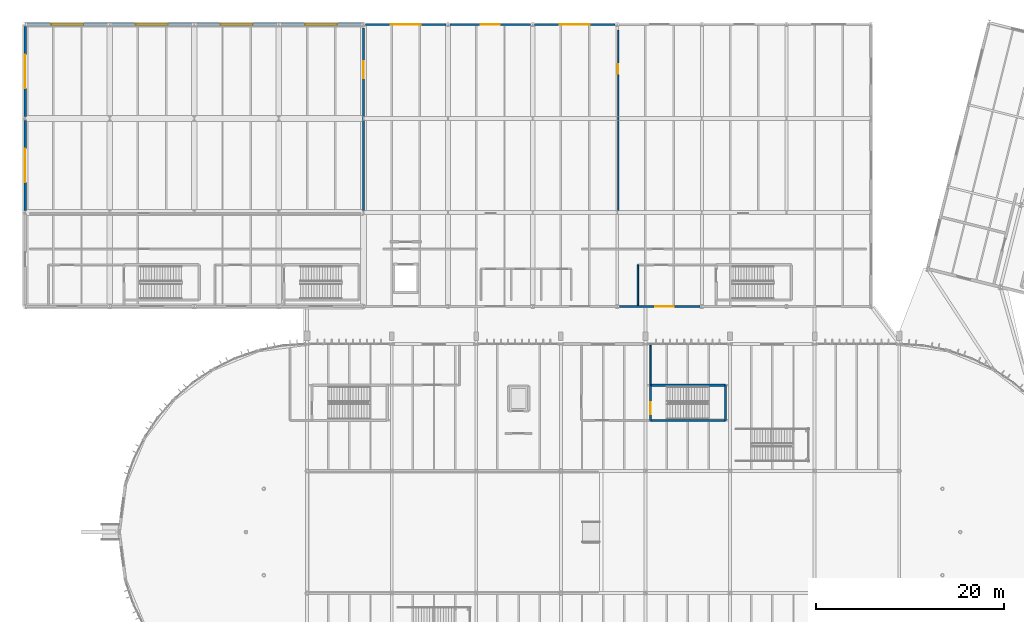
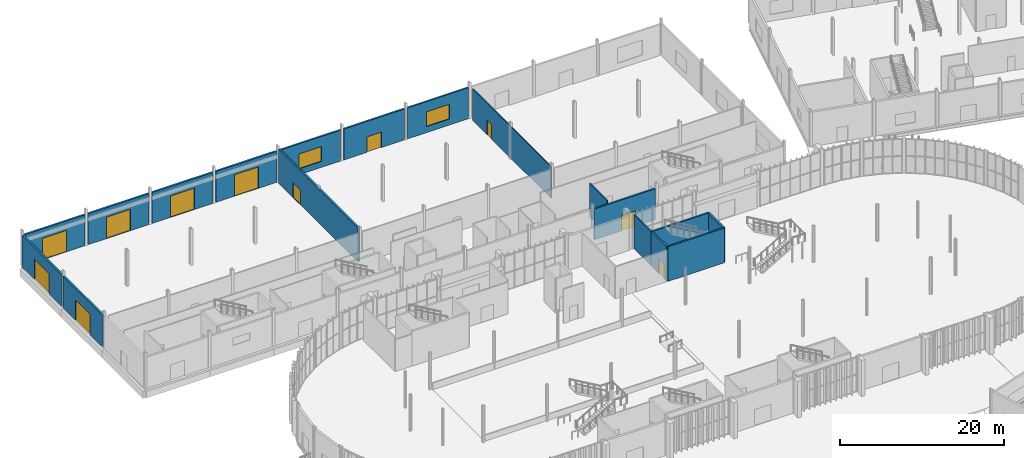
# One storey, part 125 of 158: 18 walls, 11 doors, 2 windows, 13 openings.
"""IFC4 building model written with IfcOpenShell, lengths in metres."""

from ifc_helpers import new_model, si_unit, derived_unit, direction, frame, frame_2d, origin, place, context, subcontext, project, spatial, rectangle, extrude, material, layer, layer_set, type_object, element, fill, save


model = new_model("IFC4")

# Units and contexts
model_context = context("Model", 3, precision=1e-05, world=origin(), true_north=direction((0.0, 1.0)))
body_context = subcontext(model_context, "Body", "Model", "MODEL_VIEW")
ifc_project = project(units=[si_unit("LENGTHUNIT", "METRE"), si_unit("AREAUNIT", "SQUARE_METRE"), si_unit("VOLUMEUNIT", "CUBIC_METRE"), si_unit("PLANEANGLEUNIT", "RADIAN"), si_unit("MASSUNIT", "GRAM", prefix="KILO"), si_unit("THERMODYNAMICTEMPERATUREUNIT", "KELVIN"), si_unit("TIMEUNIT", "SECOND"), derived_unit("THERMALTRANSMITTANCEUNIT", [(si_unit("MASSUNIT", "GRAM", prefix="KILO"), 1), (si_unit("THERMODYNAMICTEMPERATUREUNIT", "KELVIN"), -1), (si_unit("TIMEUNIT", "SECOND"), -3)])], contexts=[model_context])

# Site, building, storey
site_placement = place(None, origin())
site = spatial("IfcSite", under=ifc_project, at=site_placement, CompositionType="ELEMENT")
building_placement = place(site_placement, origin())
building = spatial("IfcBuilding", under=site, at=building_placement, Name="Cambertide Market Hall", CompositionType="ELEMENT")
storey_placement = place(building_placement, origin())
storey = spatial("IfcBuildingStorey", under=building, at=storey_placement, Name="L01", CompositionType="ELEMENT", Elevation=0.0)

# Wall, opening, door
ifc_material_1 = material(Name="Autoclaved Aerated Concrete Blockwork M7.5", Category="masonry")
ifc_layer_1 = layer(ifc_material_1, 0.260009765625, Name="Cold-Chain Insulated Facade Wall 260")
ifc_layer_set_1 = layer_set([ifc_layer_1], Name="Autoclaved Aerated Concrete Blockwork M7.5")
wall_type_1 = type_object("IfcWallType", Name="Cold-Chain Insulated Facade Wall 260", PredefinedType="SOLIDWALL", material=ifc_layer_set_1)
wall_1_placement = place(storey_placement, frame((12.219970703125, 126.0, 0.0), z_axis=(0.0, 0.0, 1.0), x_axis=(1.0, 0.0, 0.0)))
wall_1 = element("IfcWall", 1, at=wall_1_placement, inside=storey, type_object=wall_type_1, Name="Level 1 Exterior Wall EW-L01-V2N-1", PredefinedType="SOLIDWALL", context=body_context, shape_type="SweptSolid", body=[
    extrude(rectangle(XDim=8.56005859375, YDim=0.260009765625, at=frame_2d((4.280029296875, 0.0))), origin(), (0.0, 0.0, 1.0), 4.610107421875),
])
opening_1_placement = place(wall_1_placement, frame((2.580078125, 0.0, 0.0)))
opening_1 = element("IfcOpeningElement", 2, at=opening_1_placement, cuts=wall_1, Name="Opening LDK-01M", PredefinedType="OPENING", context=body_context, shape_type="SweptSolid", body=[
    extrude(rectangle(XDim=3.39990234375, YDim=3.199951171875, at=frame_2d((1.699951171875, 1.60009765625))), frame((0.0, 0.139892578125, 0.0), z_axis=(0.0, -1.0, 0.0), x_axis=(1.0, 0.0, 0.0)), (0.0, 0.0, 1.0), 0.280029296875),
])
ifc_material_2 = material(Name="Powder-Coated Galvanized Sheet Metal", Category="metal")
door_type_1 = type_object("IfcDoorType", Name="HGV Loading Dock Insulated Shutter 3400x3200", OperationType="ROLLINGUP", PredefinedType="GATE", material=ifc_material_2)
door_1_placement = place(opening_1_placement, origin())
door_1 = element("IfcDoor", 3, at=door_1_placement, inside=storey, type_object=door_type_1, Name="Level 1 Exterior Door EW-L01-V2N-1-DR", OperationType="ROLLINGUP", OverallHeight=3.199951171875, OverallWidth=3.39990234375, PredefinedType="GATE", context=body_context, shape_type="SweptSolid", body=[
    extrude(rectangle(XDim=3.39990234375, YDim=3.199951171875, at=frame_2d((1.699951171875, 1.60009765625))), frame((0.0, 0.02490234375, 0.0), z_axis=(0.0, -1.0, 0.0), x_axis=(1.0, 0.0, 0.0)), (0.0, 0.0, 1.0), 0.050048828125),
])
fill(opening_1, door_1)

wall_2_placement = place(storey_placement, frame((21.219970703125, 126.0, 0.0), z_axis=(0.0, 0.0, 1.0), x_axis=(1.0, 0.0, 0.0)))
wall_2 = element("IfcWall", 4, at=wall_2_placement, inside=storey, type_object=wall_type_1, Name="Level 1 Exterior Wall EW-L01-V2N-2", PredefinedType="SOLIDWALL", context=body_context, shape_type="SweptSolid", body=[
    extrude(rectangle(XDim=8.56005859375, YDim=0.260009765625, at=frame_2d((4.280029296875, 0.0))), origin(), (0.0, 0.0, 1.0), 4.610107421875),
])
opening_2_placement = place(wall_2_placement, frame((2.580078125, 0.0, 0.0)))
opening_2 = element("IfcOpeningElement", 5, at=opening_2_placement, cuts=wall_2, Name="Opening LDK-01M", PredefinedType="OPENING", context=body_context, shape_type="SweptSolid", body=[
    extrude(rectangle(XDim=3.39990234375, YDim=3.199951171875, at=frame_2d((1.699951171875, 1.60009765625))), frame((0.0, 0.139892578125, 0.0), z_axis=(0.0, -1.0, 0.0), x_axis=(1.0, 0.0, 0.0)), (0.0, 0.0, 1.0), 0.280029296875),
])
door_2_placement = place(opening_2_placement, origin())
door_2 = element("IfcDoor", 6, at=door_2_placement, inside=storey, type_object=door_type_1, Name="Level 1 Exterior Door EW-L01-V2N-2-DR", OperationType="ROLLINGUP", OverallHeight=3.199951171875, OverallWidth=3.39990234375, PredefinedType="GATE", context=body_context, shape_type="SweptSolid", body=[
    extrude(rectangle(XDim=3.39990234375, YDim=3.199951171875, at=frame_2d((1.699951171875, 1.60009765625))), frame((0.0, 0.02490234375, 0.0), z_axis=(0.0, -1.0, 0.0), x_axis=(1.0, 0.0, 0.0)), (0.0, 0.0, 1.0), 0.050048828125),
])
fill(opening_2, door_2)

wall_3_placement = place(storey_placement, frame((30.219970703125, 126.0, 0.0), z_axis=(0.0, 0.0, 1.0), x_axis=(1.0, 0.0, 0.0)))
wall_3 = element("IfcWall", 7, at=wall_3_placement, inside=storey, type_object=wall_type_1, Name="Level 1 Exterior Wall EW-L01-V2N-3", PredefinedType="SOLIDWALL", context=body_context, shape_type="SweptSolid", body=[
    extrude(rectangle(XDim=8.56005859375, YDim=0.260009765625, at=frame_2d((4.280029296875, 0.0))), origin(), (0.0, 0.0, 1.0), 4.610107421875),
])
opening_3_placement = place(wall_3_placement, frame((2.580078125, 0.0, 0.0)))
opening_3 = element("IfcOpeningElement", 8, at=opening_3_placement, cuts=wall_3, Name="Opening LDK-01M", PredefinedType="OPENING", context=body_context, shape_type="SweptSolid", body=[
    extrude(rectangle(XDim=3.39990234375, YDim=3.199951171875, at=frame_2d((1.699951171875, 1.60009765625))), frame((0.0, 0.139892578125, 0.0), z_axis=(0.0, -1.0, 0.0), x_axis=(1.0, 0.0, 0.0)), (0.0, 0.0, 1.0), 0.280029296875),
])
door_3_placement = place(opening_3_placement, origin())
door_3 = element("IfcDoor", 9, at=door_3_placement, inside=storey, type_object=door_type_1, Name="Level 1 Exterior Door EW-L01-V2N-3-DR", OperationType="ROLLINGUP", OverallHeight=3.199951171875, OverallWidth=3.39990234375, PredefinedType="GATE", context=body_context, shape_type="SweptSolid", body=[
    extrude(rectangle(XDim=3.39990234375, YDim=3.199951171875, at=frame_2d((1.699951171875, 1.60009765625))), frame((0.0, 0.02490234375, 0.0), z_axis=(0.0, -1.0, 0.0), x_axis=(1.0, 0.0, 0.0)), (0.0, 0.0, 1.0), 0.050048828125),
])
fill(opening_3, door_3)

wall_4_placement = place(storey_placement, frame((39.219970703125, 126.0, 0.0), z_axis=(0.0, 0.0, 1.0), x_axis=(1.0, 0.0, 0.0)))
wall_4 = element("IfcWall", 10, at=wall_4_placement, inside=storey, type_object=wall_type_1, Name="Level 1 Exterior Wall EW-L01-V2N-4", PredefinedType="SOLIDWALL", context=body_context, shape_type="SweptSolid", body=[
    extrude(rectangle(XDim=8.56005859375, YDim=0.260009765625, at=frame_2d((4.280029296875, 0.0))), origin(), (0.0, 0.0, 1.0), 4.610107421875),
])
opening_4_placement = place(wall_4_placement, frame((2.580078125, 0.0, 0.0)))
opening_4 = element("IfcOpeningElement", 11, at=opening_4_placement, cuts=wall_4, Name="Opening LDK-01M", PredefinedType="OPENING", context=body_context, shape_type="SweptSolid", body=[
    extrude(rectangle(XDim=3.39990234375, YDim=3.199951171875, at=frame_2d((1.699951171875, 1.60009765625))), frame((0.0, 0.139892578125, 0.0), z_axis=(0.0, -1.0, 0.0), x_axis=(1.0, 0.0, 0.0)), (0.0, 0.0, 1.0), 0.280029296875),
])
door_4_placement = place(opening_4_placement, origin())
door_4 = element("IfcDoor", 12, at=door_4_placement, inside=storey, type_object=door_type_1, Name="Level 1 Exterior Door EW-L01-V2N-4-DR", OperationType="ROLLINGUP", OverallHeight=3.199951171875, OverallWidth=3.39990234375, PredefinedType="GATE", context=body_context, shape_type="SweptSolid", body=[
    extrude(rectangle(XDim=3.39990234375, YDim=3.199951171875, at=frame_2d((1.699951171875, 1.60009765625))), frame((0.0, 0.02490234375, 0.0), z_axis=(0.0, -1.0, 0.0), x_axis=(1.0, 0.0, 0.0)), (0.0, 0.0, 1.0), 0.050048828125),
])
fill(opening_4, door_4)

wall_5_placement = place(storey_placement, frame((12.0, 106.219970703125, 0.0), z_axis=(0.0, 0.0, 1.0), x_axis=(0.0, 1.0, 0.0)))
wall_5 = element("IfcWall", 13, at=wall_5_placement, inside=storey, type_object=wall_type_1, Name="Level 1 Exterior Wall EW-L01-V2W-2", PredefinedType="SOLIDWALL", context=body_context, shape_type="SweptSolid", body=[
    extrude(rectangle(XDim=9.56005859375, YDim=0.260009765625, at=frame_2d((4.780029296875, 0.0))), origin(), (0.0, 0.0, 1.0), 4.7099609375),
])
opening_5_placement = place(wall_5_placement, frame((2.97998046875, 0.0, 0.0)))
opening_5 = element("IfcOpeningElement", 14, at=opening_5_placement, cuts=wall_5, Name="Opening VG-02M", PredefinedType="OPENING", context=body_context, shape_type="SweptSolid", body=[
    extrude(rectangle(XDim=3.60009765625, YDim=3.0, at=frame_2d((1.800048828125, 1.5))), frame((0.0, 0.139892578125, 0.0), z_axis=(0.0, -1.0, 0.0), x_axis=(1.0, 0.0, 0.0)), (0.0, 0.0, 1.0), 0.280029296875),
])
ifc_material_3 = material(Name="Powder-Coated Galvanized Sheet Metal", Category="metal")
door_type_2 = type_object("IfcDoorType", Name="Service Yard Roller Shutter Gate 3600x3000", OperationType="ROLLINGUP", PredefinedType="GATE", material=ifc_material_3)
door_5_placement = place(opening_5_placement, origin())
door_5 = element("IfcDoor", 15, at=door_5_placement, inside=storey, type_object=door_type_2, Name="Level 1 Exterior Door EW-L01-V2W-2-DR", OperationType="ROLLINGUP", OverallHeight=3.0, OverallWidth=3.60009765625, PredefinedType="GATE", context=body_context, shape_type="SweptSolid", body=[
    extrude(rectangle(XDim=3.60009765625, YDim=3.0, at=frame_2d((1.800048828125, 1.5))), frame((0.0, 0.02490234375, 0.0), z_axis=(0.0, -1.0, 0.0), x_axis=(1.0, 0.0, 0.0)), (0.0, 0.0, 1.0), 0.050048828125),
])
fill(opening_5, door_5)

wall_6_placement = place(storey_placement, frame((12.0, 116.219970703125, 0.0), z_axis=(0.0, 0.0, 1.0), x_axis=(0.0, 1.0, 0.0)))
wall_6 = element("IfcWall", 16, at=wall_6_placement, inside=storey, type_object=wall_type_1, Name="Level 1 Exterior Wall EW-L01-V2W-3", PredefinedType="SOLIDWALL", context=body_context, shape_type="SweptSolid", body=[
    extrude(rectangle(XDim=9.56005859375, YDim=0.260009765625, at=frame_2d((4.780029296875, 0.0))), origin(), (0.0, 0.0, 1.0), 4.7099609375),
])
opening_6_placement = place(wall_6_placement, frame((2.97998046875, 0.0, 0.0)))
opening_6 = element("IfcOpeningElement", 17, at=opening_6_placement, cuts=wall_6, Name="Opening VG-02M", PredefinedType="OPENING", context=body_context, shape_type="SweptSolid", body=[
    extrude(rectangle(XDim=3.60009765625, YDim=3.0, at=frame_2d((1.800048828125, 1.5))), frame((0.0, 0.139892578125, 0.0), z_axis=(0.0, -1.0, 0.0), x_axis=(1.0, 0.0, 0.0)), (0.0, 0.0, 1.0), 0.280029296875),
])
door_6_placement = place(opening_6_placement, origin())
door_6 = element("IfcDoor", 18, at=door_6_placement, inside=storey, type_object=door_type_2, Name="Level 1 Exterior Door EW-L01-V2W-3-DR", OperationType="ROLLINGUP", OverallHeight=3.0, OverallWidth=3.60009765625, PredefinedType="GATE", context=body_context, shape_type="SweptSolid", body=[
    extrude(rectangle(XDim=3.60009765625, YDim=3.0, at=frame_2d((1.800048828125, 1.5))), frame((0.0, 0.02490234375, 0.0), z_axis=(0.0, -1.0, 0.0), x_axis=(1.0, 0.0, 0.0)), (0.0, 0.0, 1.0), 0.050048828125),
])
fill(opening_6, door_6)

ifc_material_4 = material(Name="Concrete B35", Category="concrete")
ifc_layer_2 = layer(ifc_material_4, 0.25, Name="Compartment Fire Wall 250")
ifc_layer_set_2 = layer_set([ifc_layer_2], Name="Concrete B35")
wall_type_2 = type_object("IfcWallType", Name="Compartment Fire Wall 250", PredefinedType="SOLIDWALL", material=ifc_layer_set_2)
wall_7_placement = place(storey_placement, frame((48.0, 106.199951171875, 0.0), z_axis=(0.0, 0.0, 1.0), x_axis=(0.0, 1.0, 0.0)))
wall_7 = element("IfcWall", 19, at=wall_7_placement, inside=storey, type_object=wall_type_2, Name="Level 1 Interior Wall IW-L01-V2DIV1", PredefinedType="SOLIDWALL", context=body_context, shape_type="SweptSolid", body=[
    extrude(rectangle(XDim=19.400146484375, YDim=0.25, at=frame_2d((9.7001953125, 0.0))), origin(), (0.0, 0.0, 1.0), 5.080078125),
])
opening_7_placement = place(wall_7_placement, frame((14.080078125, 0.0, 0.0)))
opening_7 = element("IfcOpeningElement", 20, at=opening_7_placement, cuts=wall_7, Name="Opening FD-02", PredefinedType="OPENING", context=body_context, shape_type="SweptSolid", body=[
    extrude(rectangle(XDim=1.800048828125, YDim=2.199951171875, at=frame_2d((0.89990234375, 1.10009765625))), frame((0.0, 0.135009765625, 0.0), z_axis=(0.0, -1.0, 0.0), x_axis=(1.0, 0.0, 0.0)), (0.0, 0.0, 1.0), 0.27001953125),
])
ifc_material_5 = material(Name="Powder-Coated Galvanized Sheet Metal", Category="metal")
door_type_3 = type_object("IfcDoorType", Name="Compartment Double Fire Door 1800x2200", OperationType="DOUBLE_DOOR_SINGLE_SWING", PredefinedType="DOOR", material=ifc_material_5)
door_7_placement = place(opening_7_placement, origin())
door_7 = element("IfcDoor", 21, at=door_7_placement, inside=storey, type_object=door_type_3, Name="Level 1 Door IW-L01-V2DIV1-DR1", OperationType="DOUBLE_DOOR_SINGLE_SWING", OverallHeight=2.199951171875, OverallWidth=1.800048828125, PredefinedType="DOOR", context=body_context, shape_type="SweptSolid", body=[
    extrude(rectangle(XDim=1.800048828125, YDim=2.199951171875, at=frame_2d((0.89990234375, 1.10009765625))), frame((0.0, 0.02490234375, 0.0), z_axis=(0.0, -1.0, 0.0), x_axis=(1.0, 0.0, 0.0)), (0.0, 0.0, 1.0), 0.050048828125),
])
fill(opening_7, door_7)

# Wall, opening, window
ifc_material_6 = material(Name="Autoclaved Aerated Concrete Blockwork M7.5", Category="masonry")
ifc_layer_3 = layer(ifc_material_6, 0.25, Name="Insulated AAC Exterior Infill Wall 250")
ifc_layer_set_3 = layer_set([ifc_layer_3], Name="Autoclaved Aerated Concrete Blockwork M7.5")
wall_type_3 = type_object("IfcWallType", Name="Insulated AAC Exterior Infill Wall 250", PredefinedType="SOLIDWALL", material=ifc_layer_set_3)
wall_8_placement = place(storey_placement, frame((48.219970703125, 126.0, 0.0), z_axis=(0.0, 0.0, 1.0), x_axis=(1.0, 0.0, 0.0)))
wall_8 = element("IfcWall", 22, at=wall_8_placement, inside=storey, type_object=wall_type_3, Name="Level 1 Exterior Wall EW-L01-V2N-5", PredefinedType="SOLIDWALL", context=body_context, shape_type="SweptSolid", body=[
    extrude(rectangle(XDim=8.56005859375, YDim=0.25, at=frame_2d((4.280029296875, 0.0))), origin(), (0.0, 0.0, 1.0), 4.610107421875),
])
opening_8_placement = place(wall_8_placement, frame((2.679931640625, 0.0, 0.89990234375)))
opening_8 = element("IfcOpeningElement", 23, at=opening_8_placement, cuts=wall_8, Name="Opening WN-02", PredefinedType="OPENING", context=body_context, shape_type="SweptSolid", body=[
    extrude(rectangle(XDim=3.199951171875, YDim=2.199951171875, at=frame_2d((1.60009765625, 1.10009765625))), frame((0.0, 0.135009765625, 0.0), z_axis=(0.0, -1.0, 0.0), x_axis=(1.0, 0.0, 0.0)), (0.0, 0.0, 1.0), 0.27001953125),
])
ifc_material_7 = material(Name="Low-E Laminated Insulated Glass", Category="glass")
window_type = type_object("IfcWindowType", Name="Retail Display Window 3200x2200", PartitioningType="SINGLE_PANEL", PredefinedType="WINDOW", material=ifc_material_7)
window_1_placement = place(opening_8_placement, origin())
window_1 = element("IfcWindow", 24, at=window_1_placement, inside=storey, type_object=window_type, Name="Level 1 Window EW-L01-V2N-5-WN", OverallHeight=2.199951171875, OverallWidth=3.199951171875, PartitioningType="SINGLE_PANEL", PredefinedType="WINDOW", context=body_context, shape_type="SweptSolid", body=[
    extrude(rectangle(XDim=3.199951171875, YDim=2.199951171875, at=frame_2d((1.60009765625, 1.10009765625))), frame((0.0, 0.030029296875, 0.0), z_axis=(0.0, -1.0, 0.0), x_axis=(1.0, 0.0, 0.0)), (0.0, 0.0, 1.0), 0.06005859375),
])
fill(opening_8, window_1)

# Wall, opening, door
wall_9_placement = place(storey_placement, frame((57.219970703125, 126.0, 0.0), z_axis=(0.0, 0.0, 1.0), x_axis=(1.0, 0.0, 0.0)))
wall_9 = element("IfcWall", 25, at=wall_9_placement, inside=storey, type_object=wall_type_3, Name="Level 1 Exterior Wall EW-L01-V2N-6", PredefinedType="SOLIDWALL", context=body_context, shape_type="SweptSolid", body=[
    extrude(rectangle(XDim=8.56005859375, YDim=0.25, at=frame_2d((4.280029296875, 0.0))), origin(), (0.0, 0.0, 1.0), 4.610107421875),
])
opening_9_placement = place(wall_9_placement, frame((3.280029296875, 0.0, 0.0)))
opening_9 = element("IfcOpeningElement", 26, at=opening_9_placement, cuts=wall_9, Name="Opening ED-01", PredefinedType="OPENING", context=body_context, shape_type="SweptSolid", body=[
    extrude(rectangle(XDim=2.0, YDim=2.300048828125, at=frame_2d((1.0, 1.14990234375))), frame((0.0, 0.135009765625, 0.0), z_axis=(0.0, -1.0, 0.0), x_axis=(1.0, 0.0, 0.0)), (0.0, 0.0, 1.0), 0.27001953125),
])
ifc_material_8 = material(Name="Champagne Marine Anodized Aluminium 6063-T6 AA25", Category="aluminium")
door_type_4 = type_object("IfcDoorType", Name="Final Exit Double Door 2000x2300", OperationType="DOUBLE_DOOR_SINGLE_SWING", PredefinedType="DOOR", material=ifc_material_8)
door_8_placement = place(opening_9_placement, origin())
door_8 = element("IfcDoor", 27, at=door_8_placement, inside=storey, type_object=door_type_4, Name="Level 1 Exterior Door EW-L01-V2N-6-DR", OperationType="DOUBLE_DOOR_SINGLE_SWING", OverallHeight=2.300048828125, OverallWidth=2.0, PredefinedType="DOOR", context=body_context, shape_type="SweptSolid", body=[
    extrude(rectangle(XDim=2.0, YDim=2.300048828125, at=frame_2d((1.0, 1.14990234375))), frame((0.0, 0.02490234375, 0.0), z_axis=(0.0, -1.0, 0.0), x_axis=(1.0, 0.0, 0.0)), (0.0, 0.0, 1.0), 0.050048828125),
])
fill(opening_9, door_8)

# Wall, opening, window
wall_10_placement = place(storey_placement, frame((66.219970703125, 126.0, 0.0), z_axis=(0.0, 0.0, 1.0), x_axis=(1.0, 0.0, 0.0)))
wall_10 = element("IfcWall", 28, at=wall_10_placement, inside=storey, type_object=wall_type_3, Name="Level 1 Exterior Wall EW-L01-V2N-7", PredefinedType="SOLIDWALL", context=body_context, shape_type="SweptSolid", body=[
    extrude(rectangle(XDim=8.56005859375, YDim=0.25, at=frame_2d((4.280029296875, 0.0))), origin(), (0.0, 0.0, 1.0), 4.610107421875),
])
opening_10_placement = place(wall_10_placement, frame((2.679931640625, 0.0, 0.89990234375)))
opening_10 = element("IfcOpeningElement", 29, at=opening_10_placement, cuts=wall_10, Name="Opening WN-02", PredefinedType="OPENING", context=body_context, shape_type="SweptSolid", body=[
    extrude(rectangle(XDim=3.199951171875, YDim=2.199951171875, at=frame_2d((1.60009765625, 1.10009765625))), frame((0.0, 0.135009765625, 0.0), z_axis=(0.0, -1.0, 0.0), x_axis=(1.0, 0.0, 0.0)), (0.0, 0.0, 1.0), 0.27001953125),
])
window_2_placement = place(opening_10_placement, origin())
window_2 = element("IfcWindow", 30, at=window_2_placement, inside=storey, type_object=window_type, Name="Level 1 Window EW-L01-V2N-7-WN", OverallHeight=2.199951171875, OverallWidth=3.199951171875, PartitioningType="SINGLE_PANEL", PredefinedType="WINDOW", context=body_context, shape_type="SweptSolid", body=[
    extrude(rectangle(XDim=3.199951171875, YDim=2.199951171875, at=frame_2d((1.60009765625, 1.10009765625))), frame((0.0, 0.030029296875, 0.0), z_axis=(0.0, -1.0, 0.0), x_axis=(1.0, 0.0, 0.0)), (0.0, 0.0, 1.0), 0.06005859375),
])
fill(opening_10, window_2)

# Wall, opening, door
wall_11_placement = place(storey_placement, frame((83.780029296875, 96.0, 0.0), z_axis=(0.0, 0.0, 1.0), x_axis=(-1.0, 0.0, 0.0)))
wall_11 = element("IfcWall", 31, at=wall_11_placement, inside=storey, type_object=wall_type_3, Name="Level 1 Exterior Wall EW-L01-V2S-8", PredefinedType="SOLIDWALL", context=body_context, shape_type="SweptSolid", body=[
    extrude(rectangle(XDim=8.56005859375, YDim=0.25, at=frame_2d((4.280029296875, 0.0))), origin(), (0.0, 0.0, 1.0), 4.610107421875),
])
opening_11_placement = place(wall_11_placement, frame((2.755126953125, 0.0, 0.0)))
opening_11 = element("IfcOpeningElement", 32, at=opening_11_placement, cuts=wall_11, Name="Opening ED-01", PredefinedType="OPENING", context=body_context, shape_type="SweptSolid", body=[
    extrude(rectangle(XDim=2.0, YDim=2.300048828125, at=frame_2d((1.0, 1.14990234375))), frame((0.0, 0.135009765625, 0.0), z_axis=(0.0, -1.0, 0.0), x_axis=(1.0, 0.0, 0.0)), (0.0, 0.0, 1.0), 0.27001953125),
])
door_9_placement = place(opening_11_placement, origin())
door_9 = element("IfcDoor", 33, at=door_9_placement, inside=storey, type_object=door_type_4, Name="Level 1 Exterior Door EW-L01-V2S-8-DR", OperationType="DOUBLE_DOOR_SINGLE_SWING", OverallHeight=2.300048828125, OverallWidth=2.0, PredefinedType="DOOR", context=body_context, shape_type="SweptSolid", body=[
    extrude(rectangle(XDim=2.0, YDim=2.300048828125, at=frame_2d((1.0, 1.14990234375))), frame((0.0, 0.02490234375, 0.0), z_axis=(0.0, -1.0, 0.0), x_axis=(1.0, 0.0, 0.0)), (0.0, 0.0, 1.0), 0.050048828125),
])
fill(opening_11, door_9)

ifc_material_9 = material(Name="Autoclaved Aerated Concrete Blockwork M7.5", Category="masonry")
ifc_layer_4 = layer(ifc_material_9, 0.125, Name="Market Stall & Office Partition 125")
ifc_layer_set_4 = layer_set([ifc_layer_4], Name="Autoclaved Aerated Concrete Blockwork M7.5")
wall_type_4 = type_object("IfcWallType", Name="Market Stall & Office Partition 125", PredefinedType="PARTITIONING", material=ifc_layer_set_4)
wall_12_placement = place(storey_placement, frame((75.10009765625, 106.199951171875, 0.0), z_axis=(0.0, 0.0, 1.0), x_axis=(0.0, 1.0, 0.0)))
wall_12 = element("IfcWall", 34, at=wall_12_placement, inside=storey, type_object=wall_type_4, Name="Level 1 Interior Wall IW-L01-V2DIV2", PredefinedType="PARTITIONING", context=body_context, shape_type="SweptSolid", body=[
    extrude(rectangle(XDim=19.199951171875, YDim=0.125, at=frame_2d((9.60009765625, 0.0))), origin(), (0.0, 0.0, 1.0), 4.7099609375),
])
opening_12_placement = place(wall_12_placement, frame((14.56005859375, 0.0, 0.0)))
opening_12 = element("IfcOpeningElement", 35, at=opening_12_placement, cuts=wall_12, Name="Opening ID-03", PredefinedType="OPENING", context=body_context, shape_type="SweptSolid", body=[
    extrude(rectangle(XDim=1.0, YDim=2.14990234375, at=frame_2d((0.5, 1.074951171875))), frame((0.0, 0.072509765625, 0.0), z_axis=(0.0, -1.0, 0.0), x_axis=(1.0, 0.0, 0.0)), (0.0, 0.0, 1.0), 0.14501953125),
])
ifc_material_10 = material(Name="Champagne Marine Anodized Aluminium 6063-T6 AA25", Category="aluminium")
door_type_5 = type_object("IfcDoorType", Name="Accessible Room Single Door 1000x2150", OperationType="NOTDEFINED", PredefinedType="DOOR", material=ifc_material_10)
door_10_placement = place(opening_12_placement, origin())
door_10 = element("IfcDoor", 36, at=door_10_placement, inside=storey, type_object=door_type_5, Name="Level 1 Door IW-L01-V2DIV2-DR1", OperationType="SINGLE_SWING_LEFT", OverallHeight=2.14990234375, OverallWidth=1.0, PredefinedType="DOOR", context=body_context, shape_type="SweptSolid", body=[
    extrude(rectangle(XDim=1.0, YDim=2.14990234375, at=frame_2d((0.5, 1.074951171875))), frame((0.0, 0.02490234375, 0.0), z_axis=(0.0, -1.0, 0.0), x_axis=(1.0, 0.0, 0.0)), (0.0, 0.0, 1.0), 0.050048828125),
])
fill(opening_12, door_10)

# Walls
ifc_material_11 = material(Name="Autoclaved Aerated Concrete Blockwork M7.5", Category="masonry")
ifc_layer_5 = layer(ifc_material_11, 0.1650390625, Name="Protected Exit Passageway Fire Wall 165")
ifc_layer_set_5 = layer_set([ifc_layer_5], Name="Autoclaved Aerated Concrete Blockwork M7.5")
wall_type_5 = type_object("IfcWallType", Name="Protected Exit Passageway Fire Wall 165", PredefinedType="PARTITIONING", material=ifc_layer_set_5)
wall_13_placement = place(storey_placement, frame((78.52490234375, 87.625, 0.0), z_axis=(0.0, 0.0, 1.0), x_axis=(0.0, 1.0, 0.0)))
element("IfcWall", 37, at=wall_13_placement, inside=storey, type_object=wall_type_5, Name="Level 1 Interior Wall EXW-ST01B-E", PredefinedType="PARTITIONING", context=body_context, shape_type="SweptSolid", body=[
    extrude(rectangle(XDim=4.22509765625, YDim=0.1650390625, at=frame_2d((2.112548828125, 0.0))), origin(), (0.0, 0.0, 1.0), 5.080078125),
])
wall_14_placement = place(storey_placement, frame((77.199951171875, 96.14990234375, 0.0), z_axis=(0.0, 0.0, 1.0), x_axis=(0.0, 1.0, 0.0)))
element("IfcWall", 38, at=wall_14_placement, inside=storey, type_object=wall_type_5, Name="Level 1 Interior Wall EXW-ST04-W", PredefinedType="PARTITIONING", context=body_context, shape_type="SweptSolid", body=[
    extrude(rectangle(XDim=4.275146484375, YDim=0.1650390625, at=frame_2d((2.1376953125, 0.0))), origin(), (0.0, 0.0, 1.0), 5.02001953125),
])

# Wall, opening, door
ifc_material_12 = material(Name="Concrete B35", Category="concrete")
ifc_layer_6 = layer(ifc_material_12, 0.239990234375, Name="Stair & Lift Core Shaft Wall 240")
ifc_layer_set_6 = layer_set([ifc_layer_6], Name="Concrete B35")
wall_type_6 = type_object("IfcWallType", Name="Stair & Lift Core Shaft Wall 240", PredefinedType="SOLIDWALL", material=ifc_layer_set_6)
wall_15_placement = place(storey_placement, frame((78.52490234375, 83.875, 0.0), z_axis=(0.0, 0.0, 1.0), x_axis=(0.0, 1.0, 0.0)))
wall_15 = element("IfcWall", 39, at=wall_15_placement, inside=storey, type_object=wall_type_6, Name="Level 1 Interior Wall SHW-ST-01B-L01-NEAR", PredefinedType="SOLIDWALL", context=body_context, shape_type="SweptSolid", body=[
    extrude(rectangle(XDim=3.75, YDim=0.239990234375, at=frame_2d((1.875, 0.0))), origin(), (0.0, 0.0, 1.0), 5.159912109375),
])
opening_13_placement = place(wall_15_placement, frame((0.636962890625, 0.0, 0.0)))
opening_13 = element("IfcOpeningElement", 40, at=opening_13_placement, cuts=wall_15, Name="Opening FD-01", PredefinedType="OPENING", context=body_context, shape_type="SweptSolid", body=[
    extrude(rectangle(XDim=1.300048828125, YDim=2.14990234375, at=frame_2d((0.64990234375, 1.074951171875))), frame((0.0, 0.1298828125, 0.0), z_axis=(0.0, -1.0, 0.0), x_axis=(1.0, 0.0, 0.0)), (0.0, 0.0, 1.0), 0.260009765625),
])
ifc_material_13 = material(Name="Powder-Coated Galvanized Sheet Metal", Category="metal")
door_type_6 = type_object("IfcDoorType", Name="Stair Core Fire Door 1300x2150", OperationType="NOTDEFINED", PredefinedType="DOOR", material=ifc_material_13)
door_11_placement = place(opening_13_placement, origin())
door_11 = element("IfcDoor", 41, at=door_11_placement, inside=storey, type_object=door_type_6, Name="Level 1 Door SHW-ST-01B-L01-NEAR-DR1", OperationType="SINGLE_SWING_LEFT", OverallHeight=2.14990234375, OverallWidth=1.300048828125, PredefinedType="DOOR", context=body_context, shape_type="SweptSolid", body=[
    extrude(rectangle(XDim=1.300048828125, YDim=2.14990234375, at=frame_2d((0.64990234375, 1.074951171875))), frame((0.0, 0.02490234375, 0.0), z_axis=(0.0, -1.0, 0.0), x_axis=(1.0, 0.0, 0.0)), (0.0, 0.0, 1.0), 0.050048828125),
])
fill(opening_13, door_11)

# Walls
wall_16_placement = place(storey_placement, frame((86.52490234375, 83.875, 0.0), z_axis=(0.0, 0.0, 1.0), x_axis=(-1.0, 0.0, 0.0)))
element("IfcWall", 42, at=wall_16_placement, inside=storey, type_object=wall_type_6, Name="Level 1 Interior Wall SHW-ST-01B-L01-L", PredefinedType="SOLIDWALL", context=body_context, shape_type="SweptSolid", body=[
    extrude(rectangle(XDim=8.0, YDim=0.239990234375, at=frame_2d((4.0, 0.0))), origin(), (0.0, 0.0, 1.0), 5.159912109375),
])
wall_17_placement = place(storey_placement, frame((86.52490234375, 87.625, 0.0), z_axis=(0.0, 0.0, 1.0), x_axis=(0.0, -1.0, 0.0)))
element("IfcWall", 43, at=wall_17_placement, inside=storey, type_object=wall_type_6, Name="Level 1 Interior Wall SHW-ST-01B-L01-FAR", PredefinedType="SOLIDWALL", context=body_context, shape_type="SweptSolid", body=[
    extrude(rectangle(XDim=3.75, YDim=0.239990234375, at=frame_2d((1.875, 0.0))), origin(), (0.0, 0.0, 1.0), 5.159912109375),
])
wall_18_placement = place(storey_placement, frame((78.52490234375, 87.625, 0.0), z_axis=(0.0, 0.0, 1.0), x_axis=(1.0, 0.0, 0.0)))
element("IfcWall", 44, at=wall_18_placement, inside=storey, type_object=wall_type_6, Name="Level 1 Interior Wall SHW-ST-01B-L01-R", PredefinedType="SOLIDWALL", context=body_context, shape_type="SweptSolid", body=[
    extrude(rectangle(XDim=8.0, YDim=0.239990234375, at=frame_2d((4.0, 0.0))), origin(), (0.0, 0.0, 1.0), 5.159912109375),
])

save(model, "model.ifc")
